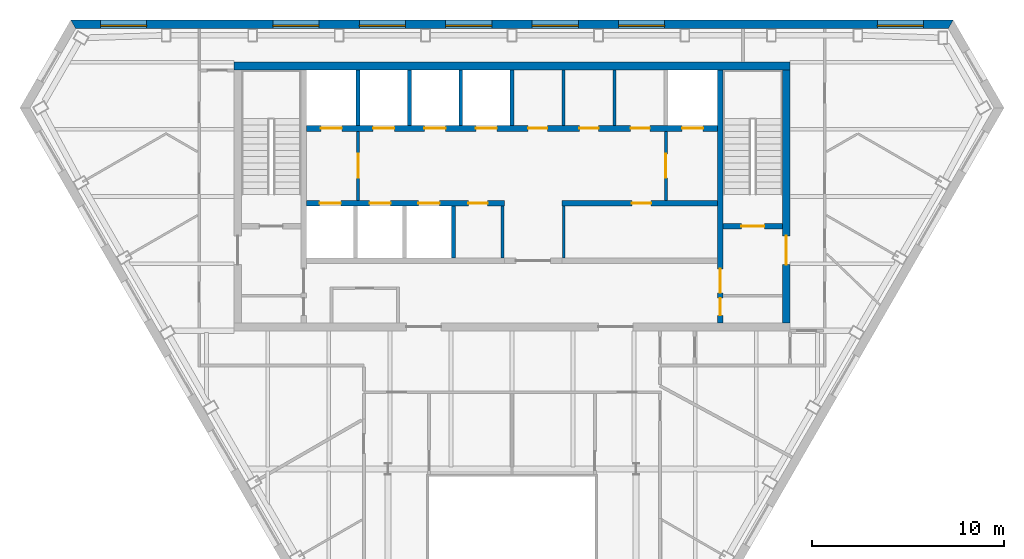
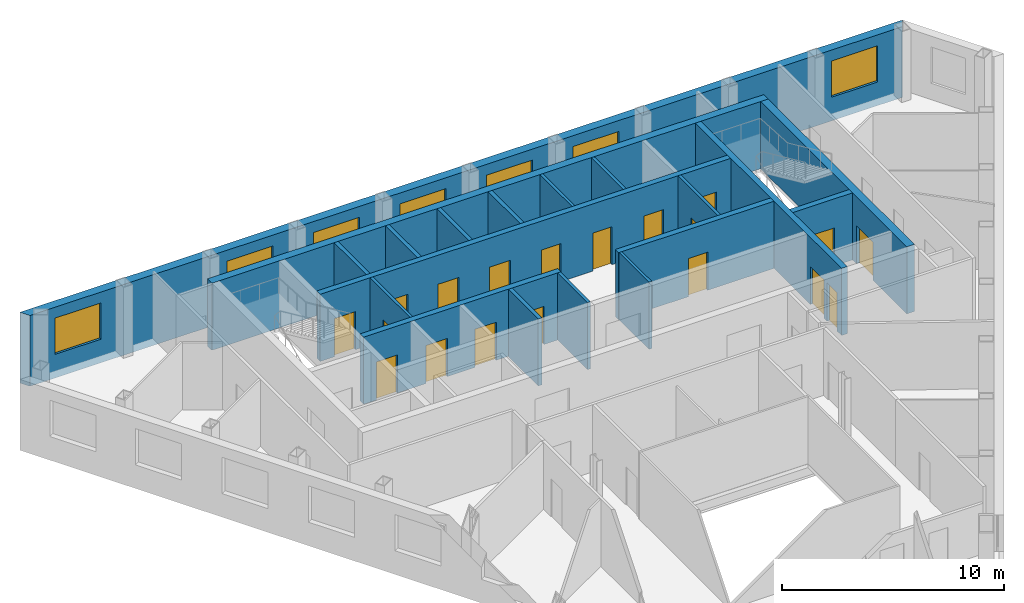
# One storey, part 6 of 10: 19 doors, 19 walls, 7 windows, 26 openings.
"""IFC4 building model written with IfcOpenShell, lengths in metres."""

from ifc_helpers import new_model, si_unit, direction, frame, frame_2d, origin, place, context, subcontext, project, spatial, polyline, rectangle, outline, extrude, material, layer, layer_set, type_object, element, fill, save


model = new_model("IFC4")

# Units and contexts
model_context = context("Model", 3, precision=1e-05, world=origin(), true_north=direction((0.0, 1.0)))
body_context = subcontext(model_context, "Body", "Model", "MODEL_VIEW")
ifc_project = project(units=[si_unit("LENGTHUNIT", "METRE"), si_unit("AREAUNIT", "SQUARE_METRE"), si_unit("VOLUMEUNIT", "CUBIC_METRE"), si_unit("PLANEANGLEUNIT", "RADIAN"), si_unit("MASSUNIT", "GRAM", prefix="KILO")], contexts=[model_context])

# Site, building, storey
site_placement = place(None, origin())
site = spatial("IfcSite", under=ifc_project, at=site_placement, CompositionType="ELEMENT")
building_placement = place(site_placement, origin())
building = spatial("IfcBuilding", under=site, at=building_placement, Name="Njiva Tower", CompositionType="ELEMENT")
storey_placement = place(building_placement, frame((0.0, 0.0, 284.4)))
storey = spatial("IfcBuildingStorey", under=building, at=storey_placement, Name="L65", CompositionType="ELEMENT", Elevation=284.4)

# Walls
ifc_material_1 = material(Name="Blockwork", Category="masonry")
ifc_layer_1 = layer(ifc_material_1, 0.15)
ifc_layer_set_1 = layer_set([ifc_layer_1], Name="Blockwork")
wall_type_1 = type_object("IfcWallType", Name="WT1 Compartment partition 150", PredefinedType="PARTITIONING", material=ifc_layer_set_1)
for number, where, z_axis, x_axis, name in (
    (1, (2.675, 14.7, 0.0), (0.0, 0.0, 1.0), (0.0, 1.0, 0.0), "Partition CN5"),
    (2, (5.35, 14.7, 0.0), (0.0, 0.0, 1.0), (0.0, 1.0, 0.0), "Partition CN6"),
):
    element("IfcWall", number, at=place(storey_placement, frame(where, z_axis=z_axis, x_axis=x_axis)), inside=storey, type_object=wall_type_1, Name=name, PredefinedType="PARTITIONING", context=body_context, shape_type="SweptSolid", body=[
        extrude(rectangle(XDim=2.9, YDim=0.15, at=frame_2d((1.45, 0.0))), origin(), (0.0, 0.0, 1.0), 3.7),
    ])
for number, where, z_axis, x_axis, name in (
    (3, (-0.5, 7.8, 0.0), (0.0, 0.0, 1.0), (0.0, 1.0, 0.0), "Partition CS4"),
    (4, (2.7, 7.8, 0.0), (0.0, 0.0, 1.0), (0.0, 1.0, 0.0), "Partition CS5"),
):
    element("IfcWall", number, at=place(storey_placement, frame(where, z_axis=z_axis, x_axis=x_axis)), inside=storey, type_object=wall_type_1, Name=name, PredefinedType="PARTITIONING", context=body_context, shape_type="SweptSolid", body=[
        extrude(rectangle(XDim=2.7, YDim=0.15, at=frame_2d((1.35, 0.0))), origin(), (0.0, 0.0, 1.0), 3.7),
    ])

# Wall, openings, doors
ifc_material_2 = material(Name="Concrete C40/50", Category="concrete")
ifc_layer_2 = layer(ifc_material_2, 0.3)
ifc_layer_set_2 = layer_set([ifc_layer_2], Name="Concrete C40/50")
wall_type_2 = type_object("IfcWallType", Name="WT10 Stair enclosure wall 300", PredefinedType="SHEAR", material=ifc_layer_set_2)
wall_1_placement = place(storey_placement, frame((10.85, 4.4, 0.0), z_axis=(0.0, 0.0, 1.0), x_axis=(0.0, 1.0, 0.0)))
wall_1 = element("IfcWall", 5, at=wall_1_placement, inside=storey, type_object=wall_type_2, Name="Stair wall east inner", PredefinedType="SHEAR", context=body_context, shape_type="SweptSolid", body=[
    extrude(rectangle(XDim=13.2, YDim=0.3, at=frame_2d((6.6, 0.0))), origin(), (0.0, 0.0, 1.0), 3.7),
])
opening_1_placement = place(wall_1_placement, frame((1.575, 0.0, 0.0)))
opening_1 = element("IfcOpeningElement", 6, at=opening_1_placement, cuts=wall_1, Name="Opening S21-D921", PredefinedType="OPENING", context=body_context, shape_type="SweptSolid", body=[
    extrude(rectangle(XDim=1.25, YDim=2.1, at=frame_2d((0.625, 1.05))), frame((0.0, 0.16, 0.0), z_axis=(0.0, -1.0, 0.0), x_axis=(1.0, 0.0, 0.0)), (0.0, 0.0, 1.0), 0.32),
])
opening_2_placement = place(wall_1_placement, frame((0.4, 0.0, 0.0)))
opening_2 = element("IfcOpeningElement", 7, at=opening_2_placement, cuts=wall_1, Name="Opening S21-D923", PredefinedType="OPENING", context=body_context, shape_type="SweptSolid", body=[
    extrude(rectangle(XDim=0.9, YDim=2.1, at=frame_2d((0.45, 1.05))), frame((0.0, 0.16, 0.0), z_axis=(0.0, -1.0, 0.0), x_axis=(1.0, 0.0, 0.0)), (0.0, 0.0, 1.0), 0.32),
])
ifc_material_3 = material(Name="Steel door, painted", Category="steel")
door_type_1 = type_object("IfcDoorType", Name="D13 Steel door 900x2100", OperationType="SINGLE_SWING_LEFT", PredefinedType="DOOR", material=ifc_material_3)
door_1_placement = place(opening_2_placement, origin())
door_1 = element("IfcDoor", 8, at=door_1_placement, inside=storey, type_object=door_type_1, Name="First aid room door", OperationType="SINGLE_SWING_LEFT", OverallHeight=2.1, OverallWidth=0.9, PredefinedType="DOOR", context=body_context, shape_type="SweptSolid", body=[
    extrude(rectangle(XDim=0.9, YDim=2.1, at=frame_2d((0.45, 1.05))), frame((0.0, 0.025, 0.0), z_axis=(0.0, -1.0, 0.0), x_axis=(1.0, 0.0, 0.0)), (0.0, 0.0, 1.0), 0.05),
])
fill(opening_2, door_1)
ifc_material_4 = material(Name="Glazed steel fire door", Category="steel")
door_type_2 = type_object("IfcDoorType", Name="D8 Vestibule corridor door 1250x2100 glazed", OperationType="SINGLE_SWING_LEFT", PredefinedType="DOOR", material=ifc_material_4)
door_2_placement = place(opening_1_placement, origin())
door_2 = element("IfcDoor", 9, at=door_2_placement, inside=storey, type_object=door_type_2, Name="Stair vestibule corridor door", OperationType="SINGLE_SWING_RIGHT", OverallHeight=2.1, OverallWidth=1.25, PredefinedType="DOOR", context=body_context, shape_type="SweptSolid", body=[
    extrude(rectangle(XDim=1.25, YDim=2.1, at=frame_2d((0.625, 1.05))), frame((0.0, 0.025, 0.0), z_axis=(0.0, -1.0, 0.0), x_axis=(1.0, 0.0, 0.0)), (0.0, 0.0, 1.0), 0.05),
])
fill(opening_1, door_2)

# Wall, opening, door
wall_2_placement = place(storey_placement, frame((11.0, 9.45, 0.0), z_axis=(0.0, 0.0, 1.0), x_axis=(1.0, 0.0, 0.0)))
wall_2 = element("IfcWall", 10, at=wall_2_placement, inside=storey, type_object=wall_type_2, Name="Stair B south wall", PredefinedType="SHEAR", context=body_context, shape_type="SweptSolid", body=[
    extrude(rectangle(XDim=3.1, YDim=0.3, at=frame_2d((1.55, 0.0))), origin(), (0.0, 0.0, 1.0), 3.7),
])
opening_3_placement = place(wall_2_placement, frame((0.95, 0.0, 0.0)))
opening_3 = element("IfcOpeningElement", 11, at=opening_3_placement, cuts=wall_2, Name="Opening S21-D920", PredefinedType="OPENING", context=body_context, shape_type="SweptSolid", body=[
    extrude(rectangle(XDim=1.2, YDim=2.1, at=frame_2d((0.6, 1.05))), frame((0.0, 0.16, 0.0), z_axis=(0.0, -1.0, 0.0), x_axis=(1.0, 0.0, 0.0)), (0.0, 0.0, 1.0), 0.32),
])
door_type_3 = type_object("IfcDoorType", Name="D7 Stair vestibule door 1200x2100 glazed", OperationType="SINGLE_SWING_LEFT", PredefinedType="DOOR", material=ifc_material_4)
door_3_placement = place(opening_3_placement, origin())
door_3 = element("IfcDoor", 12, at=door_3_placement, inside=storey, type_object=door_type_3, Name="Stair B door", OperationType="SINGLE_SWING_LEFT", OverallHeight=2.1, OverallWidth=1.2, PredefinedType="DOOR", context=body_context, shape_type="SweptSolid", body=[
    extrude(rectangle(XDim=1.2, YDim=2.1, at=frame_2d((0.6, 1.05))), frame((0.0, 0.025, 0.0), z_axis=(0.0, -1.0, 0.0), x_axis=(1.0, 0.0, 0.0)), (0.0, 0.0, 1.0), 0.05),
])
fill(opening_3, door_3)

# Wall
ifc_material_5 = material(Name="Concrete C60/75", Category="concrete")
ifc_layer_3 = layer(ifc_material_5, 0.4)
ifc_layer_set_3 = layer_set([ifc_layer_3], Name="Concrete C60/75")
wall_type_3 = type_object("IfcWallType", Name="WT11 Core wall 400", PredefinedType="SHEAR", material=ifc_layer_set_3)
wall_3_placement = place(storey_placement, frame((-14.5, 17.8, 0.0), z_axis=(0.0, 0.0, 1.0), x_axis=(1.0, 0.0, 0.0)))
element("IfcWall", 13, at=wall_3_placement, inside=storey, type_object=wall_type_3, Name="Core wall north", PredefinedType="SHEAR", context=body_context, shape_type="SweptSolid", body=[
    extrude(rectangle(XDim=29.0, YDim=0.4, at=frame_2d((14.5, 0.0))), origin(), (0.0, 0.0, 1.0), 3.7),
])

# Wall, opening, door
wall_4_placement = place(storey_placement, frame((14.3, 4.4, 0.0), z_axis=(0.0, 0.0, 1.0), x_axis=(0.0, 1.0, 0.0)))
wall_4 = element("IfcWall", 14, at=wall_4_placement, inside=storey, type_object=wall_type_3, Name="Core wall east", PredefinedType="SHEAR", context=body_context, shape_type="SweptSolid", body=[
    extrude(rectangle(XDim=13.2, YDim=0.4, at=frame_2d((6.6, 0.0))), origin(), (0.0, 0.0, 1.0), 3.7),
])
opening_4_placement = place(wall_4_placement, frame((3.05, 0.0, 0.0)))
opening_4 = element("IfcOpeningElement", 15, at=opening_4_placement, cuts=wall_4, Name="Opening S21-D922", PredefinedType="OPENING", context=body_context, shape_type="SweptSolid", body=[
    extrude(rectangle(XDim=1.5, YDim=2.1, at=frame_2d((0.75, 1.05))), frame((0.0, 0.21, 0.0), z_axis=(0.0, -1.0, 0.0), x_axis=(1.0, 0.0, 0.0)), (0.0, 0.0, 1.0), 0.42),
])
door_type_4 = type_object("IfcDoorType", Name="D10 Exit door double 1500x2100 glazed", OperationType="DOUBLE_DOOR_SINGLE_SWING", PredefinedType="DOOR", material=ifc_material_4)
door_4_placement = place(opening_4_placement, origin())
door_4 = element("IfcDoor", 16, at=door_4_placement, inside=storey, type_object=door_type_4, Name="Stair B corridor door", OperationType="DOUBLE_DOOR_SINGLE_SWING", OverallHeight=2.1, OverallWidth=1.5, PredefinedType="DOOR", context=body_context, shape_type="SweptSolid", body=[
    extrude(rectangle(XDim=1.5, YDim=2.1, at=frame_2d((0.75, 1.05))), frame((0.0, 0.025, 0.0), z_axis=(0.0, -1.0, 0.0), x_axis=(1.0, 0.0, 0.0)), (0.0, 0.0, 1.0), 0.05),
])
fill(opening_4, door_4)

ifc_layer_4 = layer(ifc_material_1, 0.15)
ifc_layer_set_4 = layer_set([ifc_layer_4], Name="Blockwork")
wall_type_4 = type_object("IfcWallType", Name="WT2 Lobby partition 150", PredefinedType="PARTITIONING", material=ifc_layer_set_4)
wall_5_placement = place(storey_placement, frame((-8.025, 10.8, 0.0), z_axis=(0.0, 0.0, 1.0), x_axis=(0.0, 1.0, 0.0)))
wall_5 = element("IfcWall", 17, at=wall_5_placement, inside=storey, type_object=wall_type_4, Name="Firefighting lobby wall A", PredefinedType="PARTITIONING", context=body_context, shape_type="SweptSolid", body=[
    extrude(rectangle(XDim=3.6, YDim=0.15, at=frame_2d((1.8, 0.0))), origin(), (0.0, 0.0, 1.0), 3.7),
])
opening_5_placement = place(wall_5_placement, frame((1.175, 0.0, 0.0)))
opening_5 = element("IfcOpeningElement", 18, at=opening_5_placement, cuts=wall_5, Name="Opening S21-D914", PredefinedType="OPENING", context=body_context, shape_type="SweptSolid", body=[
    extrude(rectangle(XDim=1.25, YDim=2.1, at=frame_2d((0.625, 1.05))), frame((0.0, 0.085, 0.0), z_axis=(0.0, -1.0, 0.0), x_axis=(1.0, 0.0, 0.0)), (0.0, 0.0, 1.0), 0.17),
])
door_5_placement = place(opening_5_placement, origin())
door_5 = element("IfcDoor", 19, at=door_5_placement, inside=storey, type_object=door_type_2, Name="Stair vestibule corridor door", OperationType="SINGLE_SWING_RIGHT", OverallHeight=2.1, OverallWidth=1.25, PredefinedType="DOOR", context=body_context, shape_type="SweptSolid", body=[
    extrude(rectangle(XDim=1.25, YDim=2.1, at=frame_2d((0.625, 1.05))), frame((0.0, 0.025, 0.0), z_axis=(0.0, -1.0, 0.0), x_axis=(1.0, 0.0, 0.0)), (0.0, 0.0, 1.0), 0.05),
])
fill(opening_5, door_5)

wall_6_placement = place(storey_placement, frame((8.025, 10.8, 0.0), z_axis=(0.0, 0.0, 1.0), x_axis=(0.0, 1.0, 0.0)))
wall_6 = element("IfcWall", 20, at=wall_6_placement, inside=storey, type_object=wall_type_4, Name="Firefighting lobby wall B", PredefinedType="PARTITIONING", context=body_context, shape_type="SweptSolid", body=[
    extrude(rectangle(XDim=3.6, YDim=0.15, at=frame_2d((1.8, 0.0))), origin(), (0.0, 0.0, 1.0), 3.7),
])
opening_6_placement = place(wall_6_placement, frame((1.175, 0.0, 0.0)))
opening_6 = element("IfcOpeningElement", 21, at=opening_6_placement, cuts=wall_6, Name="Opening S21-D919", PredefinedType="OPENING", context=body_context, shape_type="SweptSolid", body=[
    extrude(rectangle(XDim=1.25, YDim=2.1, at=frame_2d((0.625, 1.05))), frame((0.0, 0.085, 0.0), z_axis=(0.0, -1.0, 0.0), x_axis=(1.0, 0.0, 0.0)), (0.0, 0.0, 1.0), 0.17),
])
door_6_placement = place(opening_6_placement, origin())
door_6 = element("IfcDoor", 22, at=door_6_placement, inside=storey, type_object=door_type_2, Name="Stair vestibule corridor door", OperationType="SINGLE_SWING_LEFT", OverallHeight=2.1, OverallWidth=1.25, PredefinedType="DOOR", context=body_context, shape_type="SweptSolid", body=[
    extrude(rectangle(XDim=1.25, YDim=2.1, at=frame_2d((0.625, 1.05))), frame((0.0, 0.025, 0.0), z_axis=(0.0, -1.0, 0.0), x_axis=(1.0, 0.0, 0.0)), (0.0, 0.0, 1.0), 0.05),
])
fill(opening_6, door_6)

# Walls
ifc_layer_5 = layer(ifc_material_2, 0.2)
ifc_layer_set_5 = layer_set([ifc_layer_5], Name="Concrete C40/50")
wall_type_5 = type_object("IfcWallType", Name="WT6 Lift shaft wall 200", PredefinedType="SHEAR", material=ifc_layer_set_5)
for number, where, z_axis, x_axis, name in (
    (23, (-8.025, 14.7, 0.0), (0.0, 0.0, 1.0), (0.0, 1.0, 0.0), "Shaft wall CN1"),
    (24, (-5.35, 14.7, 0.0), (0.0, 0.0, 1.0), (0.0, 1.0, 0.0), "Shaft wall CN2"),
    (25, (-2.675, 14.7, 0.0), (0.0, 0.0, 1.0), (0.0, 1.0, 0.0), "Shaft wall CN3"),
    (26, (0.0, 14.7, 0.0), (0.0, 0.0, 1.0), (0.0, 1.0, 0.0), "Shaft wall CN4"),
):
    element("IfcWall", number, at=place(storey_placement, frame(where, z_axis=z_axis, x_axis=x_axis)), inside=storey, type_object=wall_type_5, Name=name, PredefinedType="SHEAR", context=body_context, shape_type="SweptSolid", body=[
        extrude(rectangle(XDim=2.9, YDim=0.2, at=frame_2d((1.45, 0.0))), origin(), (0.0, 0.0, 1.0), 3.7),
    ])
wall_7_placement = place(storey_placement, frame((-3.05, 7.8, 0.0), z_axis=(0.0, 0.0, 1.0), x_axis=(0.0, 1.0, 0.0)))
element("IfcWall", 27, at=wall_7_placement, inside=storey, type_object=wall_type_5, Name="Shaft wall CS3", PredefinedType="SHEAR", context=body_context, shape_type="SweptSolid", body=[
    extrude(rectangle(XDim=2.7, YDim=0.2, at=frame_2d((1.35, 0.0))), origin(), (0.0, 0.0, 1.0), 3.7),
])

# Wall, openings, doors
ifc_layer_6 = layer(ifc_material_2, 0.3)
ifc_layer_set_6 = layer_set([ifc_layer_6], Name="Concrete C40/50")
wall_type_6 = type_object("IfcWallType", Name="WT7 Lift shaft wall 300", PredefinedType="SHEAR", material=ifc_layer_set_6)
wall_8_placement = place(storey_placement, frame((-10.7, 14.55, 0.0), z_axis=(0.0, 0.0, 1.0), x_axis=(1.0, 0.0, 0.0)))
wall_8 = element("IfcWall", 28, at=wall_8_placement, inside=storey, type_object=wall_type_6, Name="Shaft wall north row lobby side", PredefinedType="SHEAR", context=body_context, shape_type="SweptSolid", body=[
    extrude(rectangle(XDim=21.4, YDim=0.3, at=frame_2d((10.7, 0.0))), origin(), (0.0, 0.0, 1.0), 3.7),
])
opening_7_placement = place(wall_8_placement, frame((0.7375, 0.0, 0.0)))
opening_7 = element("IfcOpeningElement", 29, at=opening_7_placement, cuts=wall_8, Name="Opening S21-D901", PredefinedType="OPENING", context=body_context, shape_type="SweptSolid", body=[
    extrude(rectangle(XDim=1.1, YDim=2.1, at=frame_2d((0.55, 1.05))), frame((0.0, 0.16, 0.0), z_axis=(0.0, -1.0, 0.0), x_axis=(1.0, 0.0, 0.0)), (0.0, 0.0, 1.0), 0.32),
])
opening_8_placement = place(wall_8_placement, frame((3.4625, 0.0, 0.0)))
opening_8 = element("IfcOpeningElement", 30, at=opening_8_placement, cuts=wall_8, Name="Opening S21-D902", PredefinedType="OPENING", context=body_context, shape_type="SweptSolid", body=[
    extrude(rectangle(XDim=1.1, YDim=2.1, at=frame_2d((0.55, 1.05))), frame((0.0, 0.16, 0.0), z_axis=(0.0, -1.0, 0.0), x_axis=(1.0, 0.0, 0.0)), (0.0, 0.0, 1.0), 0.32),
])
opening_9_placement = place(wall_8_placement, frame((6.1375, 0.0, 0.0)))
opening_9 = element("IfcOpeningElement", 31, at=opening_9_placement, cuts=wall_8, Name="Opening S21-D903", PredefinedType="OPENING", context=body_context, shape_type="SweptSolid", body=[
    extrude(rectangle(XDim=1.1, YDim=2.1, at=frame_2d((0.55, 1.05))), frame((0.0, 0.16, 0.0), z_axis=(0.0, -1.0, 0.0), x_axis=(1.0, 0.0, 0.0)), (0.0, 0.0, 1.0), 0.32),
])
opening_10_placement = place(wall_8_placement, frame((8.8125, 0.0, 0.0)))
opening_10 = element("IfcOpeningElement", 32, at=opening_10_placement, cuts=wall_8, Name="Opening S21-D904", PredefinedType="OPENING", context=body_context, shape_type="SweptSolid", body=[
    extrude(rectangle(XDim=1.1, YDim=2.1, at=frame_2d((0.55, 1.05))), frame((0.0, 0.16, 0.0), z_axis=(0.0, -1.0, 0.0), x_axis=(1.0, 0.0, 0.0)), (0.0, 0.0, 1.0), 0.32),
])
opening_11_placement = place(wall_8_placement, frame((19.5625, 0.0, 0.0)))
opening_11 = element("IfcOpeningElement", 33, at=opening_11_placement, cuts=wall_8, Name="Opening S21-D905", PredefinedType="OPENING", context=body_context, shape_type="SweptSolid", body=[
    extrude(rectangle(XDim=1.1, YDim=2.1, at=frame_2d((0.55, 1.05))), frame((0.0, 0.16, 0.0), z_axis=(0.0, -1.0, 0.0), x_axis=(1.0, 0.0, 0.0)), (0.0, 0.0, 1.0), 0.32),
])
opening_12_placement = place(wall_8_placement, frame((11.5375, 0.0, 0.0)))
opening_12 = element("IfcOpeningElement", 34, at=opening_12_placement, cuts=wall_8, Name="Opening S21-D909", PredefinedType="OPENING", context=body_context, shape_type="SweptSolid", body=[
    extrude(rectangle(XDim=1.0, YDim=2.1, at=frame_2d((0.5, 1.05))), frame((0.0, 0.16, 0.0), z_axis=(0.0, -1.0, 0.0), x_axis=(1.0, 0.0, 0.0)), (0.0, 0.0, 1.0), 0.32),
])
opening_13_placement = place(wall_8_placement, frame((14.2125, 0.0, 0.0)))
opening_13 = element("IfcOpeningElement", 35, at=opening_13_placement, cuts=wall_8, Name="Opening S21-D910", PredefinedType="OPENING", context=body_context, shape_type="SweptSolid", body=[
    extrude(rectangle(XDim=1.0, YDim=2.1, at=frame_2d((0.5, 1.05))), frame((0.0, 0.16, 0.0), z_axis=(0.0, -1.0, 0.0), x_axis=(1.0, 0.0, 0.0)), (0.0, 0.0, 1.0), 0.32),
])
opening_14_placement = place(wall_8_placement, frame((16.8875, 0.0, 0.0)))
opening_14 = element("IfcOpeningElement", 36, at=opening_14_placement, cuts=wall_8, Name="Opening S21-D911", PredefinedType="OPENING", context=body_context, shape_type="SweptSolid", body=[
    extrude(rectangle(XDim=1.0, YDim=2.1, at=frame_2d((0.5, 1.05))), frame((0.0, 0.16, 0.0), z_axis=(0.0, -1.0, 0.0), x_axis=(1.0, 0.0, 0.0)), (0.0, 0.0, 1.0), 0.32),
])
door_type_5 = type_object("IfcDoorType", Name="D5 Steel door 1000x2100", OperationType="SINGLE_SWING_LEFT", PredefinedType="DOOR", material=ifc_material_3)
door_7_placement = place(opening_12_placement, origin())
door_7 = element("IfcDoor", 37, at=door_7_placement, inside=storey, type_object=door_type_5, Name="First aid room door", OperationType="SINGLE_SWING_LEFT", OverallHeight=2.1, OverallWidth=1.0, PredefinedType="DOOR", context=body_context, shape_type="SweptSolid", body=[
    extrude(rectangle(XDim=1.0, YDim=2.1, at=frame_2d((0.5, 1.05))), frame((0.0, 0.025, 0.0), z_axis=(0.0, -1.0, 0.0), x_axis=(1.0, 0.0, 0.0)), (0.0, 0.0, 1.0), 0.05),
])
fill(opening_12, door_7)
door_8_placement = place(opening_13_placement, origin())
door_8 = element("IfcDoor", 38, at=door_8_placement, inside=storey, type_object=door_type_5, Name="Breakout room door", OperationType="SINGLE_SWING_LEFT", OverallHeight=2.1, OverallWidth=1.0, PredefinedType="DOOR", context=body_context, shape_type="SweptSolid", body=[
    extrude(rectangle(XDim=1.0, YDim=2.1, at=frame_2d((0.5, 1.05))), frame((0.0, 0.025, 0.0), z_axis=(0.0, -1.0, 0.0), x_axis=(1.0, 0.0, 0.0)), (0.0, 0.0, 1.0), 0.05),
])
fill(opening_13, door_8)
door_9_placement = place(opening_14_placement, origin())
door_9 = element("IfcDoor", 39, at=door_9_placement, inside=storey, type_object=door_type_5, Name="Reading room door", OperationType="SINGLE_SWING_LEFT", OverallHeight=2.1, OverallWidth=1.0, PredefinedType="DOOR", context=body_context, shape_type="SweptSolid", body=[
    extrude(rectangle(XDim=1.0, YDim=2.1, at=frame_2d((0.5, 1.05))), frame((0.0, 0.025, 0.0), z_axis=(0.0, -1.0, 0.0), x_axis=(1.0, 0.0, 0.0)), (0.0, 0.0, 1.0), 0.05),
])
fill(opening_14, door_9)
ifc_material_6 = material(Name="Stainless steel sliding door", Category="steel")
door_type_6 = type_object("IfcDoorType", Name="LD Lift landing door 1100x2100", OperationType="SLIDING_TO_LEFT", PredefinedType="DOOR", material=ifc_material_6)
door_10_placement = place(opening_7_placement, origin())
door_10 = element("IfcDoor", 40, at=door_10_placement, inside=storey, type_object=door_type_6, Name="Lift landing door FF1", OperationType="SLIDING_TO_LEFT", OverallHeight=2.1, OverallWidth=1.1, PredefinedType="DOOR", context=body_context, shape_type="SweptSolid", body=[
    extrude(rectangle(XDim=1.1, YDim=2.1, at=frame_2d((0.55, 1.05))), frame((0.0, 0.025, 0.0), z_axis=(0.0, -1.0, 0.0), x_axis=(1.0, 0.0, 0.0)), (0.0, 0.0, 1.0), 0.05),
])
fill(opening_7, door_10)
door_11_placement = place(opening_8_placement, origin())
door_11 = element("IfcDoor", 41, at=door_11_placement, inside=storey, type_object=door_type_6, Name="Lift landing door HB4", OperationType="SLIDING_TO_LEFT", OverallHeight=2.1, OverallWidth=1.1, PredefinedType="DOOR", context=body_context, shape_type="SweptSolid", body=[
    extrude(rectangle(XDim=1.1, YDim=2.1, at=frame_2d((0.55, 1.05))), frame((0.0, 0.025, 0.0), z_axis=(0.0, -1.0, 0.0), x_axis=(1.0, 0.0, 0.0)), (0.0, 0.0, 1.0), 0.05),
])
fill(opening_8, door_11)
door_12_placement = place(opening_9_placement, origin())
door_12 = element("IfcDoor", 42, at=door_12_placement, inside=storey, type_object=door_type_6, Name="Lift landing door HB5", OperationType="SLIDING_TO_LEFT", OverallHeight=2.1, OverallWidth=1.1, PredefinedType="DOOR", context=body_context, shape_type="SweptSolid", body=[
    extrude(rectangle(XDim=1.1, YDim=2.1, at=frame_2d((0.55, 1.05))), frame((0.0, 0.025, 0.0), z_axis=(0.0, -1.0, 0.0), x_axis=(1.0, 0.0, 0.0)), (0.0, 0.0, 1.0), 0.05),
])
fill(opening_9, door_12)
door_13_placement = place(opening_10_placement, origin())
door_13 = element("IfcDoor", 43, at=door_13_placement, inside=storey, type_object=door_type_6, Name="Lift landing door HB6", OperationType="SLIDING_TO_LEFT", OverallHeight=2.1, OverallWidth=1.1, PredefinedType="DOOR", context=body_context, shape_type="SweptSolid", body=[
    extrude(rectangle(XDim=1.1, YDim=2.1, at=frame_2d((0.55, 1.05))), frame((0.0, 0.025, 0.0), z_axis=(0.0, -1.0, 0.0), x_axis=(1.0, 0.0, 0.0)), (0.0, 0.0, 1.0), 0.05),
])
fill(opening_10, door_13)
door_14_placement = place(opening_11_placement, origin())
door_14 = element("IfcDoor", 44, at=door_14_placement, inside=storey, type_object=door_type_6, Name="Lift landing door FF2", OperationType="SLIDING_TO_LEFT", OverallHeight=2.1, OverallWidth=1.1, PredefinedType="DOOR", context=body_context, shape_type="SweptSolid", body=[
    extrude(rectangle(XDim=1.1, YDim=2.1, at=frame_2d((0.55, 1.05))), frame((0.0, 0.025, 0.0), z_axis=(0.0, -1.0, 0.0), x_axis=(1.0, 0.0, 0.0)), (0.0, 0.0, 1.0), 0.05),
])
fill(opening_11, door_14)

wall_9_placement = place(storey_placement, frame((-10.7, 10.65, 0.0), z_axis=(0.0, 0.0, 1.0), x_axis=(1.0, 0.0, 0.0)))
wall_9 = element("IfcWall", 45, at=wall_9_placement, inside=storey, type_object=wall_type_6, Name="Shaft wall south row lobby side W", PredefinedType="SHEAR", context=body_context, shape_type="SweptSolid", body=[
    extrude(rectangle(XDim=10.3, YDim=0.3, at=frame_2d((5.15, 0.0))), origin(), (0.0, 0.0, 1.0), 3.7),
])
opening_15_placement = place(wall_9_placement, frame((0.675, 0.0, 0.0)))
opening_15 = element("IfcOpeningElement", 46, at=opening_15_placement, cuts=wall_9, Name="Opening S21-D906", PredefinedType="OPENING", context=body_context, shape_type="SweptSolid", body=[
    extrude(rectangle(XDim=1.1, YDim=2.1, at=frame_2d((0.55, 1.05))), frame((0.0, 0.16, 0.0), z_axis=(0.0, -1.0, 0.0), x_axis=(1.0, 0.0, 0.0)), (0.0, 0.0, 1.0), 0.32),
])
opening_16_placement = place(wall_9_placement, frame((3.275, 0.0, 0.0)))
opening_16 = element("IfcOpeningElement", 47, at=opening_16_placement, cuts=wall_9, Name="Opening S21-D907", PredefinedType="OPENING", context=body_context, shape_type="SweptSolid", body=[
    extrude(rectangle(XDim=1.1, YDim=2.1, at=frame_2d((0.55, 1.05))), frame((0.0, 0.16, 0.0), z_axis=(0.0, -1.0, 0.0), x_axis=(1.0, 0.0, 0.0)), (0.0, 0.0, 1.0), 0.32),
])
opening_17_placement = place(wall_9_placement, frame((5.825, 0.0, 0.0)))
opening_17 = element("IfcOpeningElement", 48, at=opening_17_placement, cuts=wall_9, Name="Opening S21-D908", PredefinedType="OPENING", context=body_context, shape_type="SweptSolid", body=[
    extrude(rectangle(XDim=1.1, YDim=2.1, at=frame_2d((0.55, 1.05))), frame((0.0, 0.16, 0.0), z_axis=(0.0, -1.0, 0.0), x_axis=(1.0, 0.0, 0.0)), (0.0, 0.0, 1.0), 0.32),
])
opening_18_placement = place(wall_9_placement, frame((8.425, 0.0, 0.0)))
opening_18 = element("IfcOpeningElement", 49, at=opening_18_placement, cuts=wall_9, Name="Opening S21-D912", PredefinedType="OPENING", context=body_context, shape_type="SweptSolid", body=[
    extrude(rectangle(XDim=1.0, YDim=2.1, at=frame_2d((0.5, 1.05))), frame((0.0, 0.16, 0.0), z_axis=(0.0, -1.0, 0.0), x_axis=(1.0, 0.0, 0.0)), (0.0, 0.0, 1.0), 0.32),
])
door_15_placement = place(opening_18_placement, origin())
door_15 = element("IfcDoor", 50, at=door_15_placement, inside=storey, type_object=door_type_5, Name="Quiet room door", OperationType="SINGLE_SWING_RIGHT", OverallHeight=2.1, OverallWidth=1.0, PredefinedType="DOOR", context=body_context, shape_type="SweptSolid", body=[
    extrude(rectangle(XDim=1.0, YDim=2.1, at=frame_2d((0.5, 1.05))), frame((0.0, 0.025, 0.0), z_axis=(0.0, -1.0, 0.0), x_axis=(1.0, 0.0, 0.0)), (0.0, 0.0, 1.0), 0.05),
])
fill(opening_18, door_15)
door_16_placement = place(opening_15_placement, origin())
door_16 = element("IfcDoor", 51, at=door_16_placement, inside=storey, type_object=door_type_6, Name="Lift landing door HB1", OperationType="SLIDING_TO_LEFT", OverallHeight=2.1, OverallWidth=1.1, PredefinedType="DOOR", context=body_context, shape_type="SweptSolid", body=[
    extrude(rectangle(XDim=1.1, YDim=2.1, at=frame_2d((0.55, 1.05))), frame((0.0, 0.025, 0.0), z_axis=(0.0, -1.0, 0.0), x_axis=(1.0, 0.0, 0.0)), (0.0, 0.0, 1.0), 0.05),
])
fill(opening_15, door_16)
door_17_placement = place(opening_16_placement, origin())
door_17 = element("IfcDoor", 52, at=door_17_placement, inside=storey, type_object=door_type_6, Name="Lift landing door HB2", OperationType="SLIDING_TO_LEFT", OverallHeight=2.1, OverallWidth=1.1, PredefinedType="DOOR", context=body_context, shape_type="SweptSolid", body=[
    extrude(rectangle(XDim=1.1, YDim=2.1, at=frame_2d((0.55, 1.05))), frame((0.0, 0.025, 0.0), z_axis=(0.0, -1.0, 0.0), x_axis=(1.0, 0.0, 0.0)), (0.0, 0.0, 1.0), 0.05),
])
fill(opening_16, door_17)
door_18_placement = place(opening_17_placement, origin())
door_18 = element("IfcDoor", 53, at=door_18_placement, inside=storey, type_object=door_type_6, Name="Lift landing door HB3", OperationType="SLIDING_TO_LEFT", OverallHeight=2.1, OverallWidth=1.1, PredefinedType="DOOR", context=body_context, shape_type="SweptSolid", body=[
    extrude(rectangle(XDim=1.1, YDim=2.1, at=frame_2d((0.55, 1.05))), frame((0.0, 0.025, 0.0), z_axis=(0.0, -1.0, 0.0), x_axis=(1.0, 0.0, 0.0)), (0.0, 0.0, 1.0), 0.05),
])
fill(opening_17, door_18)

# Wall, opening, door
wall_10_placement = place(storey_placement, frame((2.6, 10.65, 0.0), z_axis=(0.0, 0.0, 1.0), x_axis=(1.0, 0.0, 0.0)))
wall_10 = element("IfcWall", 54, at=wall_10_placement, inside=storey, type_object=wall_type_6, Name="Shaft wall south row lobby side E", PredefinedType="SHEAR", context=body_context, shape_type="SweptSolid", body=[
    extrude(rectangle(XDim=8.1, YDim=0.3, at=frame_2d((4.05, 0.0))), origin(), (0.0, 0.0, 1.0), 3.7),
])
opening_19_placement = place(wall_10_placement, frame((3.65, 0.0, 0.0)))
opening_19 = element("IfcOpeningElement", 55, at=opening_19_placement, cuts=wall_10, Name="Opening S21-D913", PredefinedType="OPENING", context=body_context, shape_type="SweptSolid", body=[
    extrude(rectangle(XDim=1.0, YDim=2.1, at=frame_2d((0.5, 1.05))), frame((0.0, 0.16, 0.0), z_axis=(0.0, -1.0, 0.0), x_axis=(1.0, 0.0, 0.0)), (0.0, 0.0, 1.0), 0.32),
])
door_19_placement = place(opening_19_placement, origin())
door_19 = element("IfcDoor", 56, at=door_19_placement, inside=storey, type_object=door_type_5, Name="Cleaner's store door", OperationType="SINGLE_SWING_RIGHT", OverallHeight=2.1, OverallWidth=1.0, PredefinedType="DOOR", context=body_context, shape_type="SweptSolid", body=[
    extrude(rectangle(XDim=1.0, YDim=2.1, at=frame_2d((0.5, 1.05))), frame((0.0, 0.025, 0.0), z_axis=(0.0, -1.0, 0.0), x_axis=(1.0, 0.0, 0.0)), (0.0, 0.0, 1.0), 0.05),
])
fill(opening_19, door_19)

# Wall, openings, windows
ifc_material_7 = material(Name="Brick masonry", Category="masonry")
ifc_layer_7 = layer(ifc_material_7, 0.45)
ifc_layer_set_7 = layer_set([ifc_layer_7], Name="Brick masonry")
wall_type_7 = type_object("IfcWallType", Name="WT90 Brick pier and spandrel wall 450", PredefinedType="SOLIDWALL", material=ifc_layer_set_7)
wall_11_placement = place(storey_placement, frame((22.8701, 19.975, -0.4), z_axis=(0.0, 0.0, 1.0), x_axis=(-1.0, 0.0, 0.0)))
wall_11 = element("IfcWall", 57, at=wall_11_placement, inside=storey, type_object=wall_type_7, Name="Facade wall N", PredefinedType="SOLIDWALL", context=body_context, shape_type="SweptSolid", body=[
    extrude(outline(polyline([(-0.1299, -0.225), (45.8701, -0.225), (45.6103, 0.225), (0.1299, 0.225), (-0.1299, -0.225)])), origin(), (0.0, 0.0, 1.0), 3.9),
])
opening_20_placement = place(wall_11_placement, frame((1.4242, 0.0, 1.3)))
opening_20 = element("IfcOpeningElement", 58, at=opening_20_placement, cuts=wall_11, Name="Opening S21-W01", PredefinedType="OPENING", context=body_context, shape_type="SweptSolid", body=[
    extrude(rectangle(XDim=2.4, YDim=2.0, at=frame_2d((1.2, 1.0))), frame((0.0, 0.235, 0.0), z_axis=(0.0, -1.0, 0.0), x_axis=(1.0, 0.0, 0.0)), (0.0, 0.0, 1.0), 0.47),
])
opening_21_placement = place(wall_11_placement, frame((14.9087, 0.0, 1.3)))
opening_21 = element("IfcOpeningElement", 59, at=opening_21_placement, cuts=wall_11, Name="Opening S21-W02", PredefinedType="OPENING", context=body_context, shape_type="SweptSolid", body=[
    extrude(rectangle(XDim=2.4, YDim=2.0, at=frame_2d((1.2, 1.0))), frame((0.0, 0.235, 0.0), z_axis=(0.0, -1.0, 0.0), x_axis=(1.0, 0.0, 0.0)), (0.0, 0.0, 1.0), 0.47),
])
opening_22_placement = place(wall_11_placement, frame((19.4163, 0.0, 1.3)))
opening_22 = element("IfcOpeningElement", 60, at=opening_22_placement, cuts=wall_11, Name="Opening S21-W03", PredefinedType="OPENING", context=body_context, shape_type="SweptSolid", body=[
    extrude(rectangle(XDim=2.4, YDim=2.0, at=frame_2d((1.2, 1.0))), frame((0.0, 0.235, 0.0), z_axis=(0.0, -1.0, 0.0), x_axis=(1.0, 0.0, 0.0)), (0.0, 0.0, 1.0), 0.47),
])
opening_23_placement = place(wall_11_placement, frame((23.9239, 0.0, 1.3)))
opening_23 = element("IfcOpeningElement", 61, at=opening_23_placement, cuts=wall_11, Name="Opening S21-W04", PredefinedType="OPENING", context=body_context, shape_type="SweptSolid", body=[
    extrude(rectangle(XDim=2.4, YDim=2.0, at=frame_2d((1.2, 1.0))), frame((0.0, 0.235, 0.0), z_axis=(0.0, -1.0, 0.0), x_axis=(1.0, 0.0, 0.0)), (0.0, 0.0, 1.0), 0.47),
])
opening_24_placement = place(wall_11_placement, frame((28.4315, 0.0, 1.3)))
opening_24 = element("IfcOpeningElement", 62, at=opening_24_placement, cuts=wall_11, Name="Opening S21-W05", PredefinedType="OPENING", context=body_context, shape_type="SweptSolid", body=[
    extrude(rectangle(XDim=2.4, YDim=2.0, at=frame_2d((1.2, 1.0))), frame((0.0, 0.235, 0.0), z_axis=(0.0, -1.0, 0.0), x_axis=(1.0, 0.0, 0.0)), (0.0, 0.0, 1.0), 0.47),
])
opening_25_placement = place(wall_11_placement, frame((32.9391, 0.0, 1.3)))
opening_25 = element("IfcOpeningElement", 63, at=opening_25_placement, cuts=wall_11, Name="Opening S21-W06", PredefinedType="OPENING", context=body_context, shape_type="SweptSolid", body=[
    extrude(rectangle(XDim=2.4, YDim=2.0, at=frame_2d((1.2, 1.0))), frame((0.0, 0.235, 0.0), z_axis=(0.0, -1.0, 0.0), x_axis=(1.0, 0.0, 0.0)), (0.0, 0.0, 1.0), 0.47),
])
opening_26_placement = place(wall_11_placement, frame((41.916, 0.0, 1.3)))
opening_26 = element("IfcOpeningElement", 64, at=opening_26_placement, cuts=wall_11, Name="Opening S21-W07", PredefinedType="OPENING", context=body_context, shape_type="SweptSolid", body=[
    extrude(rectangle(XDim=2.4, YDim=2.0, at=frame_2d((1.2, 1.0))), frame((0.0, 0.235, 0.0), z_axis=(0.0, -1.0, 0.0), x_axis=(1.0, 0.0, 0.0)), (0.0, 0.0, 1.0), 0.47),
])
ifc_material_8 = material(Name="Clear glazing in aluminium frame", Category="aluminium")
window_type = type_object("IfcWindowType", Name="W90 Deep-set window 2400x2000", PartitioningType="SINGLE_PANEL", PredefinedType="WINDOW", material=ifc_material_8)
window_1_placement = place(opening_20_placement, origin())
window_1 = element("IfcWindow", 65, at=window_1_placement, inside=storey, type_object=window_type, Name="Window", OverallHeight=2.0, OverallWidth=2.4, PartitioningType="SINGLE_PANEL", PredefinedType="WINDOW", context=body_context, shape_type="SweptSolid", body=[
    extrude(rectangle(XDim=2.4, YDim=2.0, at=frame_2d((1.2, 1.0))), frame((0.0, 0.105, 0.0), z_axis=(0.0, -1.0, 0.0), x_axis=(1.0, 0.0, 0.0)), (0.0, 0.0, 1.0), 0.06),
])
fill(opening_20, window_1)
window_2_placement = place(opening_21_placement, origin())
window_2 = element("IfcWindow", 66, at=window_2_placement, inside=storey, type_object=window_type, Name="Window", OverallHeight=2.0, OverallWidth=2.4, PartitioningType="SINGLE_PANEL", PredefinedType="WINDOW", context=body_context, shape_type="SweptSolid", body=[
    extrude(rectangle(XDim=2.4, YDim=2.0, at=frame_2d((1.2, 1.0))), frame((0.0, 0.105, 0.0), z_axis=(0.0, -1.0, 0.0), x_axis=(1.0, 0.0, 0.0)), (0.0, 0.0, 1.0), 0.06),
])
fill(opening_21, window_2)
window_3_placement = place(opening_22_placement, origin())
window_3 = element("IfcWindow", 67, at=window_3_placement, inside=storey, type_object=window_type, Name="Window", OverallHeight=2.0, OverallWidth=2.4, PartitioningType="SINGLE_PANEL", PredefinedType="WINDOW", context=body_context, shape_type="SweptSolid", body=[
    extrude(rectangle(XDim=2.4, YDim=2.0, at=frame_2d((1.2, 1.0))), frame((0.0, 0.105, 0.0), z_axis=(0.0, -1.0, 0.0), x_axis=(1.0, 0.0, 0.0)), (0.0, 0.0, 1.0), 0.06),
])
fill(opening_22, window_3)
window_4_placement = place(opening_23_placement, origin())
window_4 = element("IfcWindow", 68, at=window_4_placement, inside=storey, type_object=window_type, Name="Window", OverallHeight=2.0, OverallWidth=2.4, PartitioningType="SINGLE_PANEL", PredefinedType="WINDOW", context=body_context, shape_type="SweptSolid", body=[
    extrude(rectangle(XDim=2.4, YDim=2.0, at=frame_2d((1.2, 1.0))), frame((0.0, 0.105, 0.0), z_axis=(0.0, -1.0, 0.0), x_axis=(1.0, 0.0, 0.0)), (0.0, 0.0, 1.0), 0.06),
])
fill(opening_23, window_4)
window_5_placement = place(opening_24_placement, origin())
window_5 = element("IfcWindow", 69, at=window_5_placement, inside=storey, type_object=window_type, Name="Window", OverallHeight=2.0, OverallWidth=2.4, PartitioningType="SINGLE_PANEL", PredefinedType="WINDOW", context=body_context, shape_type="SweptSolid", body=[
    extrude(rectangle(XDim=2.4, YDim=2.0, at=frame_2d((1.2, 1.0))), frame((0.0, 0.105, 0.0), z_axis=(0.0, -1.0, 0.0), x_axis=(1.0, 0.0, 0.0)), (0.0, 0.0, 1.0), 0.06),
])
fill(opening_24, window_5)
window_6_placement = place(opening_25_placement, origin())
window_6 = element("IfcWindow", 70, at=window_6_placement, inside=storey, type_object=window_type, Name="Window", OverallHeight=2.0, OverallWidth=2.4, PartitioningType="SINGLE_PANEL", PredefinedType="WINDOW", context=body_context, shape_type="SweptSolid", body=[
    extrude(rectangle(XDim=2.4, YDim=2.0, at=frame_2d((1.2, 1.0))), frame((0.0, 0.105, 0.0), z_axis=(0.0, -1.0, 0.0), x_axis=(1.0, 0.0, 0.0)), (0.0, 0.0, 1.0), 0.06),
])
fill(opening_25, window_6)
window_7_placement = place(opening_26_placement, origin())
window_7 = element("IfcWindow", 71, at=window_7_placement, inside=storey, type_object=window_type, Name="Window", OverallHeight=2.0, OverallWidth=2.4, PartitioningType="SINGLE_PANEL", PredefinedType="WINDOW", context=body_context, shape_type="SweptSolid", body=[
    extrude(rectangle(XDim=2.4, YDim=2.0, at=frame_2d((1.2, 1.0))), frame((0.0, 0.105, 0.0), z_axis=(0.0, -1.0, 0.0), x_axis=(1.0, 0.0, 0.0)), (0.0, 0.0, 1.0), 0.06),
])
fill(opening_26, window_7)

save(model, "model.ifc")
